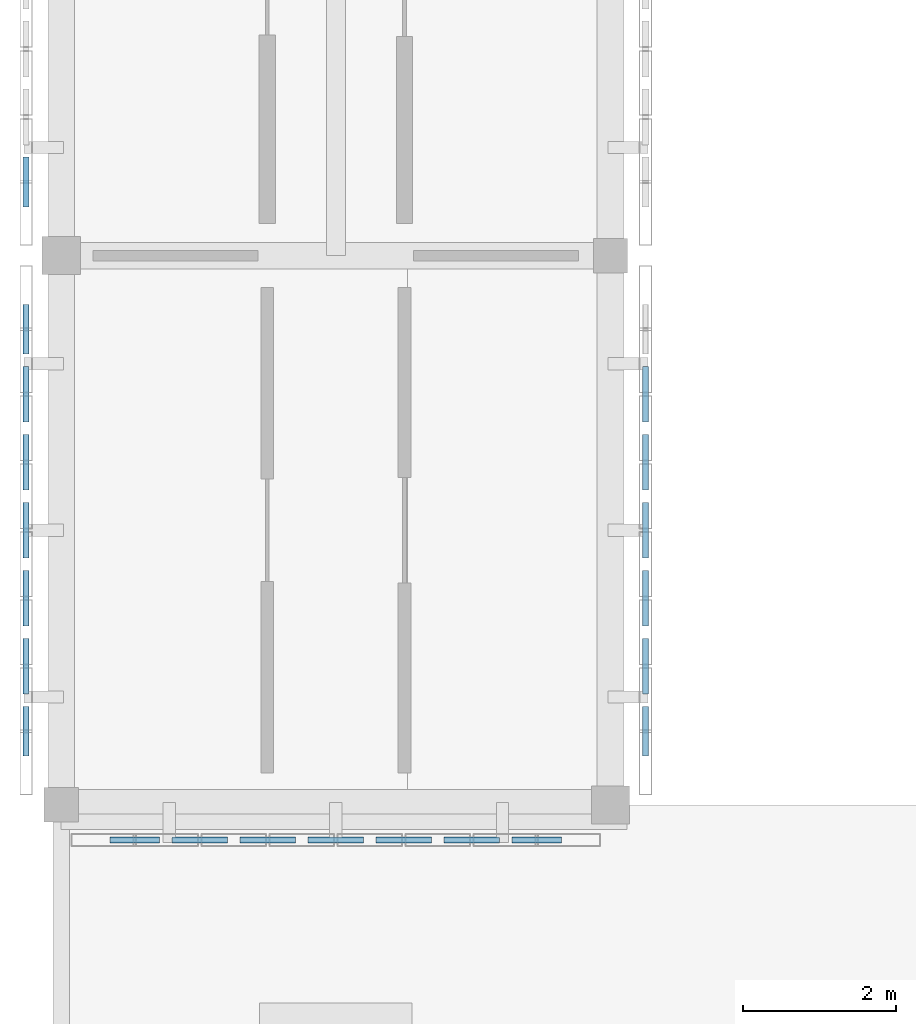
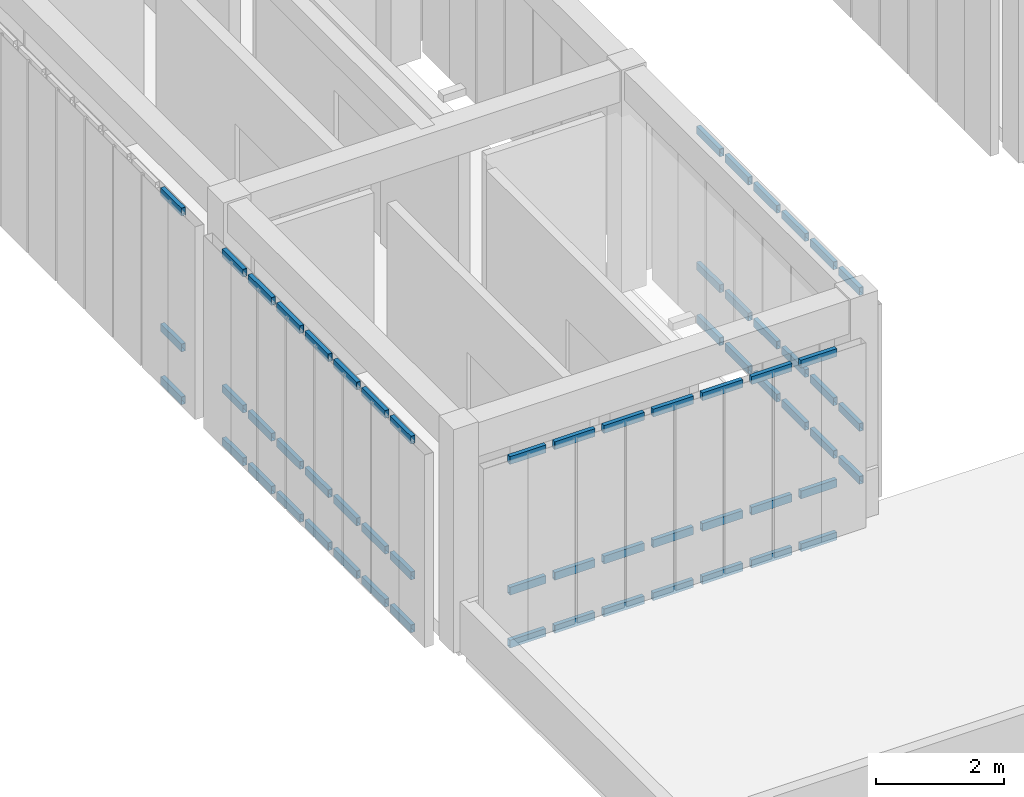
# One storey, part 16 of 91: 63 members, 4 elements without a shape of their own.
"""IFC4 building model written with IfcOpenShell, lengths in metres."""

from ifc_helpers import new_model, si_unit, direction, frame, origin, origin_2d, place, context, subcontext, project, spatial, hollow_rectangle, extrude, material, material_profile, profile_set, type_object, element, aggregate, save


model = new_model("IFC4")

# Units and contexts
model_context = context("Model", 3, precision=1e-05, world=origin(), true_north=direction((0.0, 1.0)))
body_context = subcontext(model_context, "Body", "Model", "MODEL_VIEW")
ifc_project = project(units=[si_unit("LENGTHUNIT", "METRE"), si_unit("AREAUNIT", "SQUARE_METRE"), si_unit("VOLUMEUNIT", "CUBIC_METRE"), si_unit("PLANEANGLEUNIT", "RADIAN"), si_unit("MASSUNIT", "GRAM", prefix="KILO")], contexts=[model_context])

# Site, building, storey
site_placement = place(None, origin())
site = spatial("IfcSite", under=ifc_project, at=site_placement, CompositionType="ELEMENT")
building_placement = place(site_placement, origin())
building = spatial("IfcBuilding", under=site, at=building_placement, Name="Aldebral Square Health Centre", CompositionType="ELEMENT")
storey_placement = place(building_placement, frame((0.0, 0.0, 9.0)))
storey = spatial("IfcBuildingStorey", under=building, at=storey_placement, Name="L02", CompositionType="ELEMENT", Elevation=9.0)

# Curtain wall, members
ifc_material_1 = material(Name="Aluminium and low-E solar glass", Category="aluminium")
curtain_wall_type = type_object("IfcCurtainWallType", Name="CW-FIN-SYS", PredefinedType="USERDEFINED", material=ifc_material_1)
curtain_wall_1_placement = place(storey_placement, origin())
curtain_wall_1 = element("IfcCurtainWall", 1, at=curtain_wall_1_placement, inside=storey, type_object=curtain_wall_type, Name="L02 V6 finned curtain wall L02-V6-00-01-S", ObjectType="SOLAR_CURTAIN_WALL", PredefinedType="USERDEFINED")
ifc_material_2 = material(Name="Anodised aluminium transom", Category="aluminium")
ifc_material_profile = material_profile(ifc_material_2, hollow_rectangle(XDim=0.074951171875, YDim=0.14990234375, WallThickness=0.00390625, at=origin_2d()), Name="CWT 75x150x4")
ifc_profile_set = profile_set([ifc_material_profile], Name="Anodised aluminium transom")
member_type = type_object("IfcMemberType", Name="CWT-STD", PredefinedType="USERDEFINED", material=ifc_profile_set)
member_1_placement = place(storey_placement, frame((0.639892578125, 6.739990234375, 0.03759765625), z_axis=(1.0, 0.0, 0.0), x_axis=(0.0, 1.0, 0.0)))
member_1 = element("IfcMember", 2, at=member_1_placement, type_object=member_type, Name="CW1 transom 1.1", ObjectType="TRANSOM", PredefinedType="USERDEFINED", context=body_context, shape_type="SweptSolid", body=[
    extrude(hollow_rectangle(XDim=0.074951171875, YDim=0.14990234375, WallThickness=0.00390625, at=origin_2d()), origin(), (0.0, 0.0, 1.0), 0.651611328125),
])
member_2_placement = place(storey_placement, frame((0.639892578125, 6.739990234375, 1.050048828125), z_axis=(1.0, 0.0, 0.0), x_axis=(0.0, 1.0, 0.0)))
member_2 = element("IfcMember", 3, at=member_2_placement, type_object=member_type, Name="CW1 transom 1.2", ObjectType="TRANSOM", PredefinedType="USERDEFINED", context=body_context, shape_type="SweptSolid", body=[
    extrude(hollow_rectangle(XDim=0.074951171875, YDim=0.14990234375, WallThickness=0.00390625, at=origin_2d()), origin(), (0.0, 0.0, 1.0), 0.651611328125),
])
member_3_placement = place(storey_placement, frame((0.639892578125, 6.739990234375, 3.552490234375), z_axis=(1.0, 0.0, 0.0), x_axis=(0.0, 1.0, 0.0)))
member_3 = element("IfcMember", 4, at=member_3_placement, type_object=member_type, Name="CW1 transom 1.3", ObjectType="TRANSOM", PredefinedType="USERDEFINED", context=body_context, shape_type="SweptSolid", body=[
    extrude(hollow_rectangle(XDim=0.074951171875, YDim=0.14990234375, WallThickness=0.00390625, at=origin_2d()), origin(), (0.0, 0.0, 1.0), 0.651611328125),
])
member_4_placement = place(storey_placement, frame((1.451416015625, 6.739990234375, 0.03759765625), z_axis=(1.0, 0.0, 0.0), x_axis=(0.0, 1.0, 0.0)))
member_4 = element("IfcMember", 5, at=member_4_placement, type_object=member_type, Name="CW1 transom 2.1", ObjectType="TRANSOM", PredefinedType="USERDEFINED", context=body_context, shape_type="SweptSolid", body=[
    extrude(hollow_rectangle(XDim=0.074951171875, YDim=0.14990234375, WallThickness=0.00390625, at=origin_2d()), origin(), (0.0, 0.0, 1.0), 0.7314453125),
])
member_5_placement = place(storey_placement, frame((1.451416015625, 6.739990234375, 1.050048828125), z_axis=(1.0, 0.0, 0.0), x_axis=(0.0, 1.0, 0.0)))
member_5 = element("IfcMember", 6, at=member_5_placement, type_object=member_type, Name="CW1 transom 2.2", ObjectType="TRANSOM", PredefinedType="USERDEFINED", context=body_context, shape_type="SweptSolid", body=[
    extrude(hollow_rectangle(XDim=0.074951171875, YDim=0.14990234375, WallThickness=0.00390625, at=origin_2d()), origin(), (0.0, 0.0, 1.0), 0.7314453125),
])
member_6_placement = place(storey_placement, frame((1.451416015625, 6.739990234375, 3.552490234375), z_axis=(1.0, 0.0, 0.0), x_axis=(0.0, 1.0, 0.0)))
member_6 = element("IfcMember", 7, at=member_6_placement, type_object=member_type, Name="CW1 transom 2.3", ObjectType="TRANSOM", PredefinedType="USERDEFINED", context=body_context, shape_type="SweptSolid", body=[
    extrude(hollow_rectangle(XDim=0.074951171875, YDim=0.14990234375, WallThickness=0.00390625, at=origin_2d()), origin(), (0.0, 0.0, 1.0), 0.7314453125),
])
member_7_placement = place(storey_placement, frame((2.3427734375, 6.739990234375, 0.03759765625), z_axis=(1.0, 0.0, 0.0), x_axis=(0.0, 1.0, 0.0)))
member_7 = element("IfcMember", 8, at=member_7_placement, type_object=member_type, Name="CW1 transom 3.1", ObjectType="TRANSOM", PredefinedType="USERDEFINED", context=body_context, shape_type="SweptSolid", body=[
    extrude(hollow_rectangle(XDim=0.074951171875, YDim=0.14990234375, WallThickness=0.00390625, at=origin_2d()), origin(), (0.0, 0.0, 1.0), 0.7314453125),
])
member_8_placement = place(storey_placement, frame((2.3427734375, 6.739990234375, 1.050048828125), z_axis=(1.0, 0.0, 0.0), x_axis=(0.0, 1.0, 0.0)))
member_8 = element("IfcMember", 9, at=member_8_placement, type_object=member_type, Name="CW1 transom 3.2", ObjectType="TRANSOM", PredefinedType="USERDEFINED", context=body_context, shape_type="SweptSolid", body=[
    extrude(hollow_rectangle(XDim=0.074951171875, YDim=0.14990234375, WallThickness=0.00390625, at=origin_2d()), origin(), (0.0, 0.0, 1.0), 0.7314453125),
])
member_9_placement = place(storey_placement, frame((2.3427734375, 6.739990234375, 3.552490234375), z_axis=(1.0, 0.0, 0.0), x_axis=(0.0, 1.0, 0.0)))
member_9 = element("IfcMember", 10, at=member_9_placement, type_object=member_type, Name="CW1 transom 3.3", ObjectType="TRANSOM", PredefinedType="USERDEFINED", context=body_context, shape_type="SweptSolid", body=[
    extrude(hollow_rectangle(XDim=0.074951171875, YDim=0.14990234375, WallThickness=0.00390625, at=origin_2d()), origin(), (0.0, 0.0, 1.0), 0.7314453125),
])
member_10_placement = place(storey_placement, frame((3.234375, 6.739990234375, 0.03759765625), z_axis=(1.0, 0.0, 0.0), x_axis=(0.0, 1.0, 0.0)))
member_10 = element("IfcMember", 11, at=member_10_placement, type_object=member_type, Name="CW1 transom 4.1", ObjectType="TRANSOM", PredefinedType="USERDEFINED", context=body_context, shape_type="SweptSolid", body=[
    extrude(hollow_rectangle(XDim=0.074951171875, YDim=0.14990234375, WallThickness=0.00390625, at=origin_2d()), origin(), (0.0, 0.0, 1.0), 0.7314453125),
])
member_11_placement = place(storey_placement, frame((3.234375, 6.739990234375, 1.050048828125), z_axis=(1.0, 0.0, 0.0), x_axis=(0.0, 1.0, 0.0)))
member_11 = element("IfcMember", 12, at=member_11_placement, type_object=member_type, Name="CW1 transom 4.2", ObjectType="TRANSOM", PredefinedType="USERDEFINED", context=body_context, shape_type="SweptSolid", body=[
    extrude(hollow_rectangle(XDim=0.074951171875, YDim=0.14990234375, WallThickness=0.00390625, at=origin_2d()), origin(), (0.0, 0.0, 1.0), 0.7314453125),
])
member_12_placement = place(storey_placement, frame((3.234375, 6.739990234375, 3.552490234375), z_axis=(1.0, 0.0, 0.0), x_axis=(0.0, 1.0, 0.0)))
member_12 = element("IfcMember", 13, at=member_12_placement, type_object=member_type, Name="CW1 transom 4.3", ObjectType="TRANSOM", PredefinedType="USERDEFINED", context=body_context, shape_type="SweptSolid", body=[
    extrude(hollow_rectangle(XDim=0.074951171875, YDim=0.14990234375, WallThickness=0.00390625, at=origin_2d()), origin(), (0.0, 0.0, 1.0), 0.7314453125),
])
member_13_placement = place(storey_placement, frame((4.125732421875, 6.739990234375, 0.03759765625), z_axis=(1.0, 0.0, 0.0), x_axis=(0.0, 1.0, 0.0)))
member_13 = element("IfcMember", 14, at=member_13_placement, type_object=member_type, Name="CW1 transom 5.1", ObjectType="TRANSOM", PredefinedType="USERDEFINED", context=body_context, shape_type="SweptSolid", body=[
    extrude(hollow_rectangle(XDim=0.074951171875, YDim=0.14990234375, WallThickness=0.00390625, at=origin_2d()), origin(), (0.0, 0.0, 1.0), 0.7314453125),
])
member_14_placement = place(storey_placement, frame((4.125732421875, 6.739990234375, 1.050048828125), z_axis=(1.0, 0.0, 0.0), x_axis=(0.0, 1.0, 0.0)))
member_14 = element("IfcMember", 15, at=member_14_placement, type_object=member_type, Name="CW1 transom 5.2", ObjectType="TRANSOM", PredefinedType="USERDEFINED", context=body_context, shape_type="SweptSolid", body=[
    extrude(hollow_rectangle(XDim=0.074951171875, YDim=0.14990234375, WallThickness=0.00390625, at=origin_2d()), origin(), (0.0, 0.0, 1.0), 0.7314453125),
])
member_15_placement = place(storey_placement, frame((4.125732421875, 6.739990234375, 3.552490234375), z_axis=(1.0, 0.0, 0.0), x_axis=(0.0, 1.0, 0.0)))
member_15 = element("IfcMember", 16, at=member_15_placement, type_object=member_type, Name="CW1 transom 5.3", ObjectType="TRANSOM", PredefinedType="USERDEFINED", context=body_context, shape_type="SweptSolid", body=[
    extrude(hollow_rectangle(XDim=0.074951171875, YDim=0.14990234375, WallThickness=0.00390625, at=origin_2d()), origin(), (0.0, 0.0, 1.0), 0.7314453125),
])
member_16_placement = place(storey_placement, frame((5.01708984375, 6.739990234375, 0.03759765625), z_axis=(1.0, 0.0, 0.0), x_axis=(0.0, 1.0, 0.0)))
member_16 = element("IfcMember", 17, at=member_16_placement, type_object=member_type, Name="CW1 transom 6.1", ObjectType="TRANSOM", PredefinedType="USERDEFINED", context=body_context, shape_type="SweptSolid", body=[
    extrude(hollow_rectangle(XDim=0.074951171875, YDim=0.14990234375, WallThickness=0.00390625, at=origin_2d()), origin(), (0.0, 0.0, 1.0), 0.7314453125),
])
member_17_placement = place(storey_placement, frame((5.01708984375, 6.739990234375, 1.050048828125), z_axis=(1.0, 0.0, 0.0), x_axis=(0.0, 1.0, 0.0)))
member_17 = element("IfcMember", 18, at=member_17_placement, type_object=member_type, Name="CW1 transom 6.2", ObjectType="TRANSOM", PredefinedType="USERDEFINED", context=body_context, shape_type="SweptSolid", body=[
    extrude(hollow_rectangle(XDim=0.074951171875, YDim=0.14990234375, WallThickness=0.00390625, at=origin_2d()), origin(), (0.0, 0.0, 1.0), 0.7314453125),
])
member_18_placement = place(storey_placement, frame((5.01708984375, 6.739990234375, 3.552490234375), z_axis=(1.0, 0.0, 0.0), x_axis=(0.0, 1.0, 0.0)))
member_18 = element("IfcMember", 19, at=member_18_placement, type_object=member_type, Name="CW1 transom 6.3", ObjectType="TRANSOM", PredefinedType="USERDEFINED", context=body_context, shape_type="SweptSolid", body=[
    extrude(hollow_rectangle(XDim=0.074951171875, YDim=0.14990234375, WallThickness=0.00390625, at=origin_2d()), origin(), (0.0, 0.0, 1.0), 0.7314453125),
])
member_19_placement = place(storey_placement, frame((5.90869140625, 6.739990234375, 0.03759765625), z_axis=(1.0, 0.0, 0.0), x_axis=(0.0, 1.0, 0.0)))
member_19 = element("IfcMember", 20, at=member_19_placement, type_object=member_type, Name="CW1 transom 7.1", ObjectType="TRANSOM", PredefinedType="USERDEFINED", context=body_context, shape_type="SweptSolid", body=[
    extrude(hollow_rectangle(XDim=0.074951171875, YDim=0.14990234375, WallThickness=0.00390625, at=origin_2d()), origin(), (0.0, 0.0, 1.0), 0.6513671875),
])
member_20_placement = place(storey_placement, frame((5.90869140625, 6.739990234375, 1.050048828125), z_axis=(1.0, 0.0, 0.0), x_axis=(0.0, 1.0, 0.0)))
member_20 = element("IfcMember", 21, at=member_20_placement, type_object=member_type, Name="CW1 transom 7.2", ObjectType="TRANSOM", PredefinedType="USERDEFINED", context=body_context, shape_type="SweptSolid", body=[
    extrude(hollow_rectangle(XDim=0.074951171875, YDim=0.14990234375, WallThickness=0.00390625, at=origin_2d()), origin(), (0.0, 0.0, 1.0), 0.6513671875),
])
member_21_placement = place(storey_placement, frame((5.90869140625, 6.739990234375, 3.552490234375), z_axis=(1.0, 0.0, 0.0), x_axis=(0.0, 1.0, 0.0)))
member_21 = element("IfcMember", 22, at=member_21_placement, type_object=member_type, Name="CW1 transom 7.3", ObjectType="TRANSOM", PredefinedType="USERDEFINED", context=body_context, shape_type="SweptSolid", body=[
    extrude(hollow_rectangle(XDim=0.074951171875, YDim=0.14990234375, WallThickness=0.00390625, at=origin_2d()), origin(), (0.0, 0.0, 1.0), 0.6513671875),
])
aggregate(curtain_wall_1, [member_1, member_2, member_3, member_4, member_5, member_6, member_7, member_8, member_9, member_10, member_11, member_12, member_13, member_14, member_15, member_16, member_17, member_18, member_19, member_20, member_21])

curtain_wall_2_placement = place(storey_placement, origin())
curtain_wall_2 = element("IfcCurtainWall", 23, at=curtain_wall_2_placement, inside=storey, type_object=curtain_wall_type, Name="L02 V6 finned curtain wall L02-V6-00-01-W", ObjectType="SOLAR_CURTAIN_WALL", PredefinedType="USERDEFINED")
member_22_placement = place(storey_placement, frame((-0.4599609375, 13.760009765625, 0.03759765625), z_axis=(0.0, -1.0, 0.0), x_axis=(1.0, 0.0, 0.0)))
member_22 = element("IfcMember", 24, at=member_22_placement, type_object=member_type, Name="CW1 transom 1.1", ObjectType="TRANSOM", PredefinedType="USERDEFINED", context=body_context, shape_type="SweptSolid", body=[
    extrude(hollow_rectangle(XDim=0.074951171875, YDim=0.14990234375, WallThickness=0.00390625, at=origin_2d()), origin(), (0.0, 0.0, 1.0), 0.6513671875),
])
member_23_placement = place(storey_placement, frame((-0.4599609375, 13.760009765625, 1.050048828125), z_axis=(0.0, -1.0, 0.0), x_axis=(1.0, 0.0, 0.0)))
member_23 = element("IfcMember", 25, at=member_23_placement, type_object=member_type, Name="CW1 transom 1.2", ObjectType="TRANSOM", PredefinedType="USERDEFINED", context=body_context, shape_type="SweptSolid", body=[
    extrude(hollow_rectangle(XDim=0.074951171875, YDim=0.14990234375, WallThickness=0.00390625, at=origin_2d()), origin(), (0.0, 0.0, 1.0), 0.6513671875),
])
member_24_placement = place(storey_placement, frame((-0.4599609375, 13.760009765625, 3.652587890625), z_axis=(0.0, -1.0, 0.0), x_axis=(1.0, 0.0, 0.0)))
member_24 = element("IfcMember", 26, at=member_24_placement, type_object=member_type, Name="CW1 transom 1.3", ObjectType="TRANSOM", PredefinedType="USERDEFINED", context=body_context, shape_type="SweptSolid", body=[
    extrude(hollow_rectangle(XDim=0.074951171875, YDim=0.14990234375, WallThickness=0.00390625, at=origin_2d()), origin(), (0.0, 0.0, 1.0), 0.6513671875),
])
member_25_placement = place(storey_placement, frame((-0.4599609375, 12.948486328125, 0.03759765625), z_axis=(0.0, -1.0, 0.0), x_axis=(1.0, 0.0, 0.0)))
member_25 = element("IfcMember", 27, at=member_25_placement, type_object=member_type, Name="CW1 transom 2.1", ObjectType="TRANSOM", PredefinedType="USERDEFINED", context=body_context, shape_type="SweptSolid", body=[
    extrude(hollow_rectangle(XDim=0.074951171875, YDim=0.14990234375, WallThickness=0.00390625, at=origin_2d()), origin(), (0.0, 0.0, 1.0), 0.7314453125),
])
member_26_placement = place(storey_placement, frame((-0.4599609375, 12.948486328125, 1.050048828125), z_axis=(0.0, -1.0, 0.0), x_axis=(1.0, 0.0, 0.0)))
member_26 = element("IfcMember", 28, at=member_26_placement, type_object=member_type, Name="CW1 transom 2.2", ObjectType="TRANSOM", PredefinedType="USERDEFINED", context=body_context, shape_type="SweptSolid", body=[
    extrude(hollow_rectangle(XDim=0.074951171875, YDim=0.14990234375, WallThickness=0.00390625, at=origin_2d()), origin(), (0.0, 0.0, 1.0), 0.7314453125),
])
member_27_placement = place(storey_placement, frame((-0.4599609375, 12.948486328125, 3.652587890625), z_axis=(0.0, -1.0, 0.0), x_axis=(1.0, 0.0, 0.0)))
member_27 = element("IfcMember", 29, at=member_27_placement, type_object=member_type, Name="CW1 transom 2.3", ObjectType="TRANSOM", PredefinedType="USERDEFINED", context=body_context, shape_type="SweptSolid", body=[
    extrude(hollow_rectangle(XDim=0.074951171875, YDim=0.14990234375, WallThickness=0.00390625, at=origin_2d()), origin(), (0.0, 0.0, 1.0), 0.7314453125),
])
member_28_placement = place(storey_placement, frame((-0.4599609375, 12.05712890625, 0.03759765625), z_axis=(0.0, -1.0, 0.0), x_axis=(1.0, 0.0, 0.0)))
member_28 = element("IfcMember", 30, at=member_28_placement, type_object=member_type, Name="CW1 transom 3.1", ObjectType="TRANSOM", PredefinedType="USERDEFINED", context=body_context, shape_type="SweptSolid", body=[
    extrude(hollow_rectangle(XDim=0.074951171875, YDim=0.14990234375, WallThickness=0.00390625, at=origin_2d()), origin(), (0.0, 0.0, 1.0), 0.7314453125),
])
member_29_placement = place(storey_placement, frame((-0.4599609375, 12.05712890625, 1.050048828125), z_axis=(0.0, -1.0, 0.0), x_axis=(1.0, 0.0, 0.0)))
member_29 = element("IfcMember", 31, at=member_29_placement, type_object=member_type, Name="CW1 transom 3.2", ObjectType="TRANSOM", PredefinedType="USERDEFINED", context=body_context, shape_type="SweptSolid", body=[
    extrude(hollow_rectangle(XDim=0.074951171875, YDim=0.14990234375, WallThickness=0.00390625, at=origin_2d()), origin(), (0.0, 0.0, 1.0), 0.7314453125),
])
member_30_placement = place(storey_placement, frame((-0.4599609375, 12.05712890625, 3.652587890625), z_axis=(0.0, -1.0, 0.0), x_axis=(1.0, 0.0, 0.0)))
member_30 = element("IfcMember", 32, at=member_30_placement, type_object=member_type, Name="CW1 transom 3.3", ObjectType="TRANSOM", PredefinedType="USERDEFINED", context=body_context, shape_type="SweptSolid", body=[
    extrude(hollow_rectangle(XDim=0.074951171875, YDim=0.14990234375, WallThickness=0.00390625, at=origin_2d()), origin(), (0.0, 0.0, 1.0), 0.7314453125),
])
member_31_placement = place(storey_placement, frame((-0.4599609375, 11.165771484375, 0.03759765625), z_axis=(0.0, -1.0, 0.0), x_axis=(1.0, 0.0, 0.0)))
member_31 = element("IfcMember", 33, at=member_31_placement, type_object=member_type, Name="CW1 transom 4.1", ObjectType="TRANSOM", PredefinedType="USERDEFINED", context=body_context, shape_type="SweptSolid", body=[
    extrude(hollow_rectangle(XDim=0.074951171875, YDim=0.14990234375, WallThickness=0.00390625, at=origin_2d()), origin(), (0.0, 0.0, 1.0), 0.7314453125),
])
member_32_placement = place(storey_placement, frame((-0.4599609375, 11.165771484375, 1.050048828125), z_axis=(0.0, -1.0, 0.0), x_axis=(1.0, 0.0, 0.0)))
member_32 = element("IfcMember", 34, at=member_32_placement, type_object=member_type, Name="CW1 transom 4.2", ObjectType="TRANSOM", PredefinedType="USERDEFINED", context=body_context, shape_type="SweptSolid", body=[
    extrude(hollow_rectangle(XDim=0.074951171875, YDim=0.14990234375, WallThickness=0.00390625, at=origin_2d()), origin(), (0.0, 0.0, 1.0), 0.7314453125),
])
member_33_placement = place(storey_placement, frame((-0.4599609375, 11.165771484375, 3.652587890625), z_axis=(0.0, -1.0, 0.0), x_axis=(1.0, 0.0, 0.0)))
member_33 = element("IfcMember", 35, at=member_33_placement, type_object=member_type, Name="CW1 transom 4.3", ObjectType="TRANSOM", PredefinedType="USERDEFINED", context=body_context, shape_type="SweptSolid", body=[
    extrude(hollow_rectangle(XDim=0.074951171875, YDim=0.14990234375, WallThickness=0.00390625, at=origin_2d()), origin(), (0.0, 0.0, 1.0), 0.7314453125),
])
member_34_placement = place(storey_placement, frame((-0.4599609375, 10.274169921875, 0.03759765625), z_axis=(0.0, -1.0, 0.0), x_axis=(1.0, 0.0, 0.0)))
member_34 = element("IfcMember", 36, at=member_34_placement, type_object=member_type, Name="CW1 transom 5.1", ObjectType="TRANSOM", PredefinedType="USERDEFINED", context=body_context, shape_type="SweptSolid", body=[
    extrude(hollow_rectangle(XDim=0.074951171875, YDim=0.14990234375, WallThickness=0.00390625, at=origin_2d()), origin(), (0.0, 0.0, 1.0), 0.731201171875),
])
member_35_placement = place(storey_placement, frame((-0.4599609375, 10.274169921875, 1.050048828125), z_axis=(0.0, -1.0, 0.0), x_axis=(1.0, 0.0, 0.0)))
member_35 = element("IfcMember", 37, at=member_35_placement, type_object=member_type, Name="CW1 transom 5.2", ObjectType="TRANSOM", PredefinedType="USERDEFINED", context=body_context, shape_type="SweptSolid", body=[
    extrude(hollow_rectangle(XDim=0.074951171875, YDim=0.14990234375, WallThickness=0.00390625, at=origin_2d()), origin(), (0.0, 0.0, 1.0), 0.731201171875),
])
member_36_placement = place(storey_placement, frame((-0.4599609375, 10.274169921875, 3.652587890625), z_axis=(0.0, -1.0, 0.0), x_axis=(1.0, 0.0, 0.0)))
member_36 = element("IfcMember", 38, at=member_36_placement, type_object=member_type, Name="CW1 transom 5.3", ObjectType="TRANSOM", PredefinedType="USERDEFINED", context=body_context, shape_type="SweptSolid", body=[
    extrude(hollow_rectangle(XDim=0.074951171875, YDim=0.14990234375, WallThickness=0.00390625, at=origin_2d()), origin(), (0.0, 0.0, 1.0), 0.731201171875),
])
member_37_placement = place(storey_placement, frame((-0.4599609375, 9.3828125, 0.03759765625), z_axis=(0.0, -1.0, 0.0), x_axis=(1.0, 0.0, 0.0)))
member_37 = element("IfcMember", 39, at=member_37_placement, type_object=member_type, Name="CW1 transom 6.1", ObjectType="TRANSOM", PredefinedType="USERDEFINED", context=body_context, shape_type="SweptSolid", body=[
    extrude(hollow_rectangle(XDim=0.074951171875, YDim=0.14990234375, WallThickness=0.00390625, at=origin_2d()), origin(), (0.0, 0.0, 1.0), 0.7314453125),
])
member_38_placement = place(storey_placement, frame((-0.4599609375, 9.3828125, 1.050048828125), z_axis=(0.0, -1.0, 0.0), x_axis=(1.0, 0.0, 0.0)))
member_38 = element("IfcMember", 40, at=member_38_placement, type_object=member_type, Name="CW1 transom 6.2", ObjectType="TRANSOM", PredefinedType="USERDEFINED", context=body_context, shape_type="SweptSolid", body=[
    extrude(hollow_rectangle(XDim=0.074951171875, YDim=0.14990234375, WallThickness=0.00390625, at=origin_2d()), origin(), (0.0, 0.0, 1.0), 0.7314453125),
])
member_39_placement = place(storey_placement, frame((-0.4599609375, 9.3828125, 3.652587890625), z_axis=(0.0, -1.0, 0.0), x_axis=(1.0, 0.0, 0.0)))
member_39 = element("IfcMember", 41, at=member_39_placement, type_object=member_type, Name="CW1 transom 6.3", ObjectType="TRANSOM", PredefinedType="USERDEFINED", context=body_context, shape_type="SweptSolid", body=[
    extrude(hollow_rectangle(XDim=0.074951171875, YDim=0.14990234375, WallThickness=0.00390625, at=origin_2d()), origin(), (0.0, 0.0, 1.0), 0.7314453125),
])
member_40_placement = place(storey_placement, frame((-0.4599609375, 8.491455078125, 0.03759765625), z_axis=(0.0, -1.0, 0.0), x_axis=(1.0, 0.0, 0.0)))
member_40 = element("IfcMember", 42, at=member_40_placement, type_object=member_type, Name="CW1 transom 7.1", ObjectType="TRANSOM", PredefinedType="USERDEFINED", context=body_context, shape_type="SweptSolid", body=[
    extrude(hollow_rectangle(XDim=0.074951171875, YDim=0.14990234375, WallThickness=0.00390625, at=origin_2d()), origin(), (0.0, 0.0, 1.0), 0.6513671875),
])
member_41_placement = place(storey_placement, frame((-0.4599609375, 8.491455078125, 1.050048828125), z_axis=(0.0, -1.0, 0.0), x_axis=(1.0, 0.0, 0.0)))
member_41 = element("IfcMember", 43, at=member_41_placement, type_object=member_type, Name="CW1 transom 7.2", ObjectType="TRANSOM", PredefinedType="USERDEFINED", context=body_context, shape_type="SweptSolid", body=[
    extrude(hollow_rectangle(XDim=0.074951171875, YDim=0.14990234375, WallThickness=0.00390625, at=origin_2d()), origin(), (0.0, 0.0, 1.0), 0.6513671875),
])
member_42_placement = place(storey_placement, frame((-0.4599609375, 8.491455078125, 3.652587890625), z_axis=(0.0, -1.0, 0.0), x_axis=(1.0, 0.0, 0.0)))
member_42 = element("IfcMember", 44, at=member_42_placement, type_object=member_type, Name="CW1 transom 7.3", ObjectType="TRANSOM", PredefinedType="USERDEFINED", context=body_context, shape_type="SweptSolid", body=[
    extrude(hollow_rectangle(XDim=0.074951171875, YDim=0.14990234375, WallThickness=0.00390625, at=origin_2d()), origin(), (0.0, 0.0, 1.0), 0.6513671875),
])
aggregate(curtain_wall_2, [member_22, member_23, member_24, member_25, member_26, member_27, member_28, member_29, member_30, member_31, member_32, member_33, member_34, member_35, member_36, member_37, member_38, member_39, member_40, member_41, member_42])

curtain_wall_3_placement = place(storey_placement, origin())
curtain_wall_3 = element("IfcCurtainWall", 45, at=curtain_wall_3_placement, inside=storey, type_object=curtain_wall_type, Name="L02 V6 finned curtain wall L02-V6-00-01-E", ObjectType="SOLAR_CURTAIN_WALL", PredefinedType="USERDEFINED")
member_43_placement = place(storey_placement, frame((7.659912109375, 7.840087890625, 0.03759765625), z_axis=(0.0, 1.0, 0.0), x_axis=(-1.0, 0.0, 0.0)))
member_43 = element("IfcMember", 46, at=member_43_placement, type_object=member_type, Name="CW1 transom 1.1", ObjectType="TRANSOM", PredefinedType="USERDEFINED", context=body_context, shape_type="SweptSolid", body=[
    extrude(hollow_rectangle(XDim=0.074951171875, YDim=0.14990234375, WallThickness=0.00390625, at=origin_2d()), origin(), (0.0, 0.0, 1.0), 0.6513671875),
])
member_44_placement = place(storey_placement, frame((7.659912109375, 7.840087890625, 1.050048828125), z_axis=(0.0, 1.0, 0.0), x_axis=(-1.0, 0.0, 0.0)))
member_44 = element("IfcMember", 47, at=member_44_placement, type_object=member_type, Name="CW1 transom 1.2", ObjectType="TRANSOM", PredefinedType="USERDEFINED", context=body_context, shape_type="SweptSolid", body=[
    extrude(hollow_rectangle(XDim=0.074951171875, YDim=0.14990234375, WallThickness=0.00390625, at=origin_2d()), origin(), (0.0, 0.0, 1.0), 0.6513671875),
])
member_45_placement = place(storey_placement, frame((7.659912109375, 7.840087890625, 3.652587890625), z_axis=(0.0, 1.0, 0.0), x_axis=(-1.0, 0.0, 0.0)))
member_45 = element("IfcMember", 48, at=member_45_placement, type_object=member_type, Name="CW1 transom 1.3", ObjectType="TRANSOM", PredefinedType="USERDEFINED", context=body_context, shape_type="SweptSolid", body=[
    extrude(hollow_rectangle(XDim=0.074951171875, YDim=0.14990234375, WallThickness=0.00390625, at=origin_2d()), origin(), (0.0, 0.0, 1.0), 0.6513671875),
])
member_46_placement = place(storey_placement, frame((7.659912109375, 8.6513671875, 0.03759765625), z_axis=(0.0, 1.0, 0.0), x_axis=(-1.0, 0.0, 0.0)))
member_46 = element("IfcMember", 49, at=member_46_placement, type_object=member_type, Name="CW1 transom 2.1", ObjectType="TRANSOM", PredefinedType="USERDEFINED", context=body_context, shape_type="SweptSolid", body=[
    extrude(hollow_rectangle(XDim=0.074951171875, YDim=0.14990234375, WallThickness=0.00390625, at=origin_2d()), origin(), (0.0, 0.0, 1.0), 0.7314453125),
])
member_47_placement = place(storey_placement, frame((7.659912109375, 8.6513671875, 1.050048828125), z_axis=(0.0, 1.0, 0.0), x_axis=(-1.0, 0.0, 0.0)))
member_47 = element("IfcMember", 50, at=member_47_placement, type_object=member_type, Name="CW1 transom 2.2", ObjectType="TRANSOM", PredefinedType="USERDEFINED", context=body_context, shape_type="SweptSolid", body=[
    extrude(hollow_rectangle(XDim=0.074951171875, YDim=0.14990234375, WallThickness=0.00390625, at=origin_2d()), origin(), (0.0, 0.0, 1.0), 0.7314453125),
])
member_48_placement = place(storey_placement, frame((7.659912109375, 8.6513671875, 3.652587890625), z_axis=(0.0, 1.0, 0.0), x_axis=(-1.0, 0.0, 0.0)))
member_48 = element("IfcMember", 51, at=member_48_placement, type_object=member_type, Name="CW1 transom 2.3", ObjectType="TRANSOM", PredefinedType="USERDEFINED", context=body_context, shape_type="SweptSolid", body=[
    extrude(hollow_rectangle(XDim=0.074951171875, YDim=0.14990234375, WallThickness=0.00390625, at=origin_2d()), origin(), (0.0, 0.0, 1.0), 0.7314453125),
])
member_49_placement = place(storey_placement, frame((7.659912109375, 9.54296875, 0.03759765625), z_axis=(0.0, 1.0, 0.0), x_axis=(-1.0, 0.0, 0.0)))
member_49 = element("IfcMember", 52, at=member_49_placement, type_object=member_type, Name="CW1 transom 3.1", ObjectType="TRANSOM", PredefinedType="USERDEFINED", context=body_context, shape_type="SweptSolid", body=[
    extrude(hollow_rectangle(XDim=0.074951171875, YDim=0.14990234375, WallThickness=0.00390625, at=origin_2d()), origin(), (0.0, 0.0, 1.0), 0.731201171875),
])
member_50_placement = place(storey_placement, frame((7.659912109375, 9.54296875, 1.050048828125), z_axis=(0.0, 1.0, 0.0), x_axis=(-1.0, 0.0, 0.0)))
member_50 = element("IfcMember", 53, at=member_50_placement, type_object=member_type, Name="CW1 transom 3.2", ObjectType="TRANSOM", PredefinedType="USERDEFINED", context=body_context, shape_type="SweptSolid", body=[
    extrude(hollow_rectangle(XDim=0.074951171875, YDim=0.14990234375, WallThickness=0.00390625, at=origin_2d()), origin(), (0.0, 0.0, 1.0), 0.731201171875),
])
member_51_placement = place(storey_placement, frame((7.659912109375, 9.54296875, 3.652587890625), z_axis=(0.0, 1.0, 0.0), x_axis=(-1.0, 0.0, 0.0)))
member_51 = element("IfcMember", 54, at=member_51_placement, type_object=member_type, Name="CW1 transom 3.3", ObjectType="TRANSOM", PredefinedType="USERDEFINED", context=body_context, shape_type="SweptSolid", body=[
    extrude(hollow_rectangle(XDim=0.074951171875, YDim=0.14990234375, WallThickness=0.00390625, at=origin_2d()), origin(), (0.0, 0.0, 1.0), 0.731201171875),
])
member_52_placement = place(storey_placement, frame((7.659912109375, 10.434326171875, 0.03759765625), z_axis=(0.0, 1.0, 0.0), x_axis=(-1.0, 0.0, 0.0)))
member_52 = element("IfcMember", 55, at=member_52_placement, type_object=member_type, Name="CW1 transom 4.1", ObjectType="TRANSOM", PredefinedType="USERDEFINED", context=body_context, shape_type="SweptSolid", body=[
    extrude(hollow_rectangle(XDim=0.074951171875, YDim=0.14990234375, WallThickness=0.00390625, at=origin_2d()), origin(), (0.0, 0.0, 1.0), 0.7314453125),
])
member_53_placement = place(storey_placement, frame((7.659912109375, 10.434326171875, 1.050048828125), z_axis=(0.0, 1.0, 0.0), x_axis=(-1.0, 0.0, 0.0)))
member_53 = element("IfcMember", 56, at=member_53_placement, type_object=member_type, Name="CW1 transom 4.2", ObjectType="TRANSOM", PredefinedType="USERDEFINED", context=body_context, shape_type="SweptSolid", body=[
    extrude(hollow_rectangle(XDim=0.074951171875, YDim=0.14990234375, WallThickness=0.00390625, at=origin_2d()), origin(), (0.0, 0.0, 1.0), 0.7314453125),
])
member_54_placement = place(storey_placement, frame((7.659912109375, 10.434326171875, 3.652587890625), z_axis=(0.0, 1.0, 0.0), x_axis=(-1.0, 0.0, 0.0)))
member_54 = element("IfcMember", 57, at=member_54_placement, type_object=member_type, Name="CW1 transom 4.3", ObjectType="TRANSOM", PredefinedType="USERDEFINED", context=body_context, shape_type="SweptSolid", body=[
    extrude(hollow_rectangle(XDim=0.074951171875, YDim=0.14990234375, WallThickness=0.00390625, at=origin_2d()), origin(), (0.0, 0.0, 1.0), 0.7314453125),
])
member_55_placement = place(storey_placement, frame((7.659912109375, 11.32568359375, 0.03759765625), z_axis=(0.0, 1.0, 0.0), x_axis=(-1.0, 0.0, 0.0)))
member_55 = element("IfcMember", 58, at=member_55_placement, type_object=member_type, Name="CW1 transom 5.1", ObjectType="TRANSOM", PredefinedType="USERDEFINED", context=body_context, shape_type="SweptSolid", body=[
    extrude(hollow_rectangle(XDim=0.074951171875, YDim=0.14990234375, WallThickness=0.00390625, at=origin_2d()), origin(), (0.0, 0.0, 1.0), 0.7314453125),
])
member_56_placement = place(storey_placement, frame((7.659912109375, 11.32568359375, 1.050048828125), z_axis=(0.0, 1.0, 0.0), x_axis=(-1.0, 0.0, 0.0)))
member_56 = element("IfcMember", 59, at=member_56_placement, type_object=member_type, Name="CW1 transom 5.2", ObjectType="TRANSOM", PredefinedType="USERDEFINED", context=body_context, shape_type="SweptSolid", body=[
    extrude(hollow_rectangle(XDim=0.074951171875, YDim=0.14990234375, WallThickness=0.00390625, at=origin_2d()), origin(), (0.0, 0.0, 1.0), 0.7314453125),
])
member_57_placement = place(storey_placement, frame((7.659912109375, 11.32568359375, 3.652587890625), z_axis=(0.0, 1.0, 0.0), x_axis=(-1.0, 0.0, 0.0)))
member_57 = element("IfcMember", 60, at=member_57_placement, type_object=member_type, Name="CW1 transom 5.3", ObjectType="TRANSOM", PredefinedType="USERDEFINED", context=body_context, shape_type="SweptSolid", body=[
    extrude(hollow_rectangle(XDim=0.074951171875, YDim=0.14990234375, WallThickness=0.00390625, at=origin_2d()), origin(), (0.0, 0.0, 1.0), 0.7314453125),
])
member_58_placement = place(storey_placement, frame((7.659912109375, 12.217041015625, 0.03759765625), z_axis=(0.0, 1.0, 0.0), x_axis=(-1.0, 0.0, 0.0)))
member_58 = element("IfcMember", 61, at=member_58_placement, type_object=member_type, Name="CW1 transom 6.1", ObjectType="TRANSOM", PredefinedType="USERDEFINED", context=body_context, shape_type="SweptSolid", body=[
    extrude(hollow_rectangle(XDim=0.074951171875, YDim=0.14990234375, WallThickness=0.00390625, at=origin_2d()), origin(), (0.0, 0.0, 1.0), 0.7314453125),
])
member_59_placement = place(storey_placement, frame((7.659912109375, 12.217041015625, 1.050048828125), z_axis=(0.0, 1.0, 0.0), x_axis=(-1.0, 0.0, 0.0)))
member_59 = element("IfcMember", 62, at=member_59_placement, type_object=member_type, Name="CW1 transom 6.2", ObjectType="TRANSOM", PredefinedType="USERDEFINED", context=body_context, shape_type="SweptSolid", body=[
    extrude(hollow_rectangle(XDim=0.074951171875, YDim=0.14990234375, WallThickness=0.00390625, at=origin_2d()), origin(), (0.0, 0.0, 1.0), 0.7314453125),
])
member_60_placement = place(storey_placement, frame((7.659912109375, 12.217041015625, 3.652587890625), z_axis=(0.0, 1.0, 0.0), x_axis=(-1.0, 0.0, 0.0)))
member_60 = element("IfcMember", 63, at=member_60_placement, type_object=member_type, Name="CW1 transom 6.3", ObjectType="TRANSOM", PredefinedType="USERDEFINED", context=body_context, shape_type="SweptSolid", body=[
    extrude(hollow_rectangle(XDim=0.074951171875, YDim=0.14990234375, WallThickness=0.00390625, at=origin_2d()), origin(), (0.0, 0.0, 1.0), 0.7314453125),
])
aggregate(curtain_wall_3, [member_43, member_44, member_45, member_46, member_47, member_48, member_49, member_50, member_51, member_52, member_53, member_54, member_55, member_56, member_57, member_58, member_59, member_60])

curtain_wall_4_placement = place(storey_placement, origin())
curtain_wall_4 = element("IfcCurtainWall", 64, at=curtain_wall_4_placement, inside=storey, type_object=curtain_wall_type, Name="L02 V6 finned curtain wall L02-V6-00-02-W", ObjectType="SOLAR_CURTAIN_WALL", PredefinedType="USERDEFINED")
member_61_placement = place(storey_placement, frame((-0.4599609375, 15.69140625, 0.03759765625), z_axis=(0.0, -1.0, 0.0), x_axis=(1.0, 0.0, 0.0)))
member_61 = element("IfcMember", 65, at=member_61_placement, type_object=member_type, Name="CW1 transom 7.1", ObjectType="TRANSOM", PredefinedType="USERDEFINED", context=body_context, shape_type="SweptSolid", body=[
    extrude(hollow_rectangle(XDim=0.074951171875, YDim=0.14990234375, WallThickness=0.00390625, at=origin_2d()), origin(), (0.0, 0.0, 1.0), 0.6513671875),
])
member_62_placement = place(storey_placement, frame((-0.4599609375, 15.69140625, 1.050048828125), z_axis=(0.0, -1.0, 0.0), x_axis=(1.0, 0.0, 0.0)))
member_62 = element("IfcMember", 66, at=member_62_placement, type_object=member_type, Name="CW1 transom 7.2", ObjectType="TRANSOM", PredefinedType="USERDEFINED", context=body_context, shape_type="SweptSolid", body=[
    extrude(hollow_rectangle(XDim=0.074951171875, YDim=0.14990234375, WallThickness=0.00390625, at=origin_2d()), origin(), (0.0, 0.0, 1.0), 0.6513671875),
])
member_63_placement = place(storey_placement, frame((-0.4599609375, 15.69140625, 3.652587890625), z_axis=(0.0, -1.0, 0.0), x_axis=(1.0, 0.0, 0.0)))
member_63 = element("IfcMember", 67, at=member_63_placement, type_object=member_type, Name="CW1 transom 7.3", ObjectType="TRANSOM", PredefinedType="USERDEFINED", context=body_context, shape_type="SweptSolid", body=[
    extrude(hollow_rectangle(XDim=0.074951171875, YDim=0.14990234375, WallThickness=0.00390625, at=origin_2d()), origin(), (0.0, 0.0, 1.0), 0.6513671875),
])
aggregate(curtain_wall_4, [member_61, member_62, member_63])

save(model, "model.ifc")
